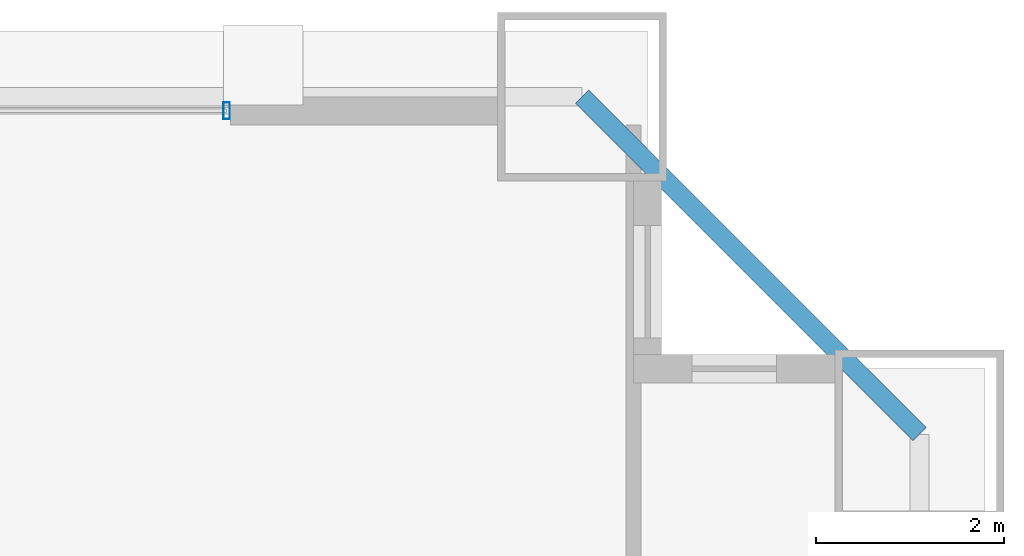
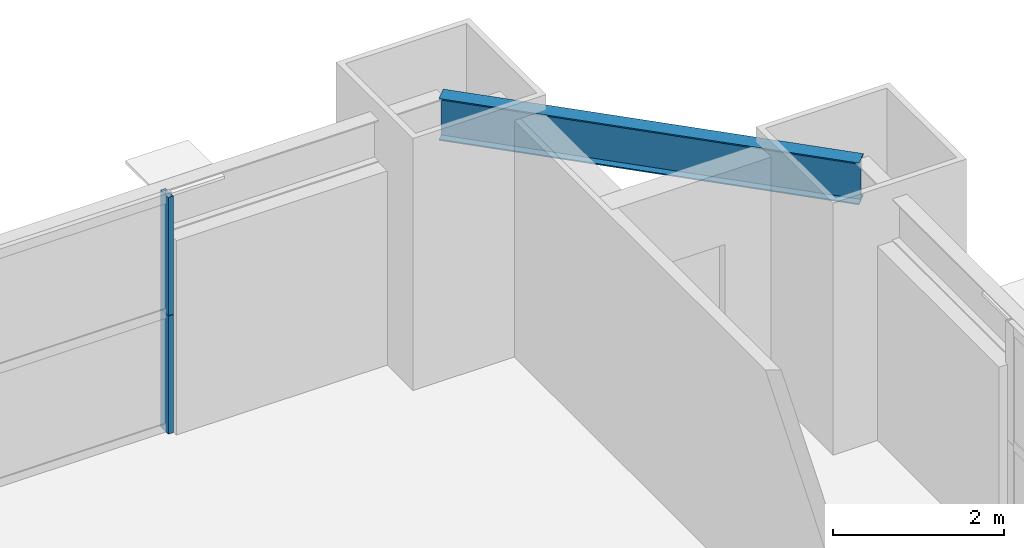
# One storey, part 37 of 43: 2 members, 1 beam, 1 element without a shape of its own.
"""IFC4 building model written with IfcOpenShell, lengths in metres."""

from ifc_helpers import new_model, si_unit, direction, frame, origin, origin_2d, place, context, subcontext, project, spatial, hollow_rectangle, i_section, extrude, source, transform, mapped, material, layer, layer_set, material_profile, profile_set, type_object, element, aggregate, save


model = new_model("IFC4")

# Units and contexts
model_context = context("Model", 3, precision=1e-05, world=origin(), true_north=direction((0.0, 1.0)))
body_context = subcontext(model_context, "Body", "Model", "MODEL_VIEW")
ifc_project = project(units=[si_unit("LENGTHUNIT", "METRE"), si_unit("AREAUNIT", "SQUARE_METRE"), si_unit("VOLUMEUNIT", "CUBIC_METRE"), si_unit("PLANEANGLEUNIT", "RADIAN"), si_unit("MASSUNIT", "GRAM", prefix="KILO"), si_unit("THERMODYNAMICTEMPERATUREUNIT", "KELVIN"), si_unit("POWERUNIT", "WATT")], contexts=[model_context])

# Site, building, storey
site_placement = place(None, origin())
site = spatial("IfcSite", under=ifc_project, at=site_placement, CompositionType="ELEMENT")
building_placement = place(site_placement, origin())
building = spatial("IfcBuilding", under=site, at=building_placement, Name="Yuzanri Waterfront Tower", CompositionType="ELEMENT")
storey_placement = place(building_placement, frame((0.0, 0.0, 64.0)))
storey = spatial("IfcBuildingStorey", under=building, at=storey_placement, Name="L16", CompositionType="ELEMENT", Elevation=64.0)

# Beam
ifc_material_1 = material(Name="Steel Q355B", Category="steel")
ifc_material_profile_1 = material_profile(ifc_material_1, i_section(OverallWidth=0.199951171875, OverallDepth=0.60009765625, WebThickness=0.010986328125, FlangeThickness=0.01708984375, at=origin_2d()), Name="HN 600x200x11x17")
ifc_profile_set_1 = profile_set([ifc_material_profile_1], Name="Steel Q355B")
beam_type = type_object("IfcBeamType", Name="Perimeter Spandrel Q355B HN 600x200", PredefinedType="SPANDREL", material=ifc_profile_set_1)
shared_shape_1 = source(origin(), body_context, "Body", "SweptSolid", [
    extrude(i_section(OverallWidth=0.199951171875, OverallDepth=0.60009765625, WebThickness=0.010986328125, FlangeThickness=0.01708984375, at=origin_2d()), origin(), (0.0, 0.0, 1.0), 5.091064453125),
])
beam_placement = place(storey_placement, frame((62.10009765625, 47.300048828125, 3.080078125), z_axis=(-0.707130757816, 0.707082803744, 0.0), x_axis=(-0.707082803744, -0.707130757816, 0.0)))
element("IfcBeam", 1, at=beam_placement, inside=storey, type_object=beam_type, Name="L16 Perimeter Spandrel E3-N3", PredefinedType="SPANDREL", context=body_context, shape_type="MappedRepresentation", body=[
    mapped(shared_shape_1, transform((0.0, 0.0, 0.0), scale=1.0)),
])

# Curtain wall, members
ifc_material_2 = material(Name="Anodized Architectural Bronze", Category="metal")
ifc_layer = layer(ifc_material_2, 0.159912109375)
ifc_layer_set = layer_set([ifc_layer], Name="Anodized Architectural Bronze")
curtain_wall_type = type_object("IfcCurtainWallType", Name="Anodized Bronze Hotel Lower-Tier Recessed Unitized Curtain Wall 8100", PredefinedType="NOTDEFINED", material=ifc_layer_set)
curtain_wall_placement = place(storey_placement, origin())
curtain_wall = element("IfcCurtainWall", 2, at=curtain_wall_placement, inside=storey, type_object=curtain_wall_type, Name="L16 Curtain Wall CW-L16-NR", PredefinedType="NOTDEFINED")
ifc_material_3 = material(Name="Anodized Architectural Bronze", Category="metal")
ifc_material_profile_2 = material_profile(ifc_material_3, hollow_rectangle(XDim=0.070068359375, YDim=0.179931640625, WallThickness=0.00390625, at=origin_2d()), Name="CWM 70x180")
ifc_profile_set_2 = profile_set([ifc_material_profile_2], Name="Anodized Architectural Bronze")
member_type = type_object("IfcMemberType", Name="Anodized Bronze Standard Curtain-Wall Mullion 70x180", PredefinedType="MULLION", material=ifc_profile_set_2)
shared_shape_2 = source(origin(), body_context, "Body", "SweptSolid", [
    extrude(hollow_rectangle(XDim=0.070068359375, YDim=0.179931640625, WallThickness=0.00390625, at=origin_2d()), origin(), (0.0, 0.0, 1.0), 1.68798828125),
])
member_1_placement = place(storey_placement, frame((54.7099609375, 50.75, 0.0), z_axis=(0.0, 0.0, 1.0), x_axis=(1.0, 0.0, 0.0)))
member_1 = element("IfcMember", 3, at=member_1_placement, type_object=member_type, Name="CW-L16-NR Lower Mullion 02", PredefinedType="MULLION", context=body_context, shape_type="MappedRepresentation", body=[
    mapped(shared_shape_2, transform((0.0, 0.0, 0.0), scale=1.0)),
])
member_2_placement = place(storey_placement, frame((54.7099609375, 50.75, 1.69189453125), z_axis=(0.0, 0.0, 1.0), x_axis=(1.0, 0.0, 0.0)))
member_2 = element("IfcMember", 4, at=member_2_placement, type_object=member_type, Name="CW-L16-NR Upper Mullion 02", PredefinedType="MULLION", context=body_context, shape_type="MappedRepresentation", body=[
    mapped(shared_shape_2, transform((0.0, 0.0, 0.0), scale=1.0)),
])
aggregate(curtain_wall, [member_1, member_2])

save(model, "model.ifc")
